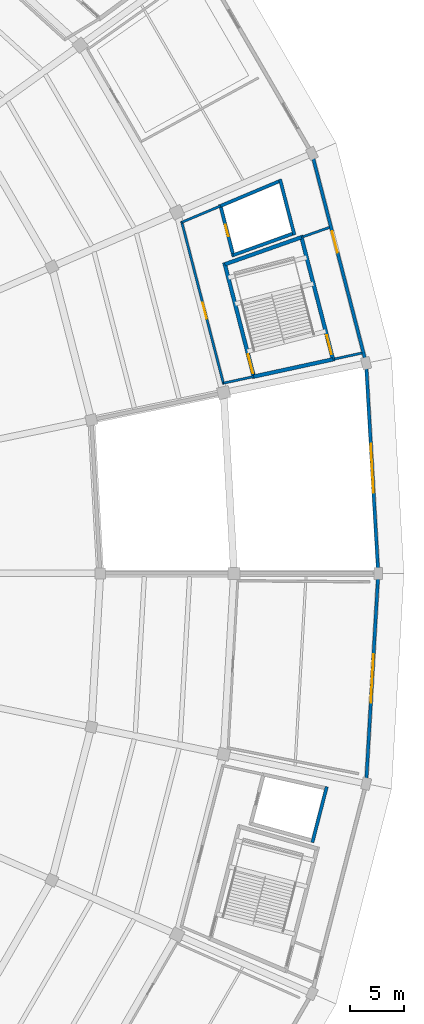
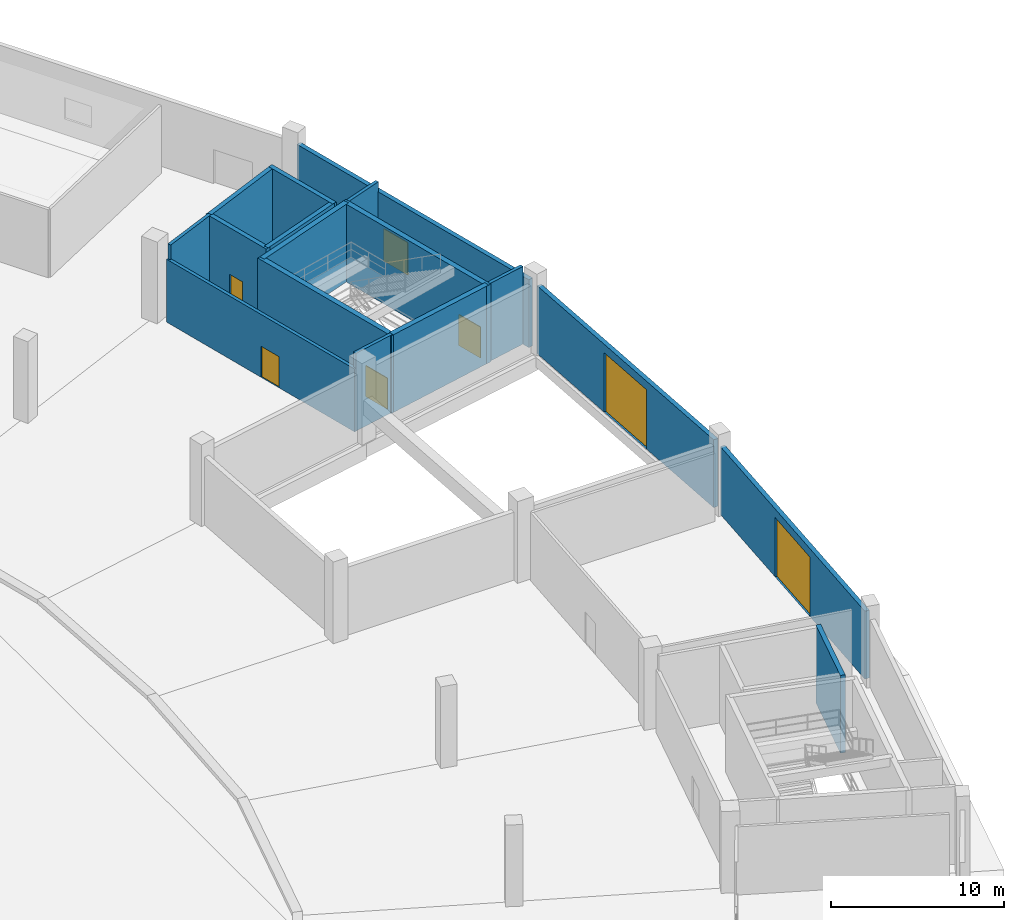
# One storey, part 15 of 48: 17 walls, 7 doors, 7 openings.
"""IFC4 building model written with IfcOpenShell, lengths in metres."""

from ifc_helpers import new_model, si_unit, direction, frame, frame_2d, origin, place, context, subcontext, project, spatial, rectangle, extrude, material, layer, layer_set, type_object, element, fill, save


model = new_model("IFC4")

# Units and contexts
model_context = context("Model", 3, precision=1e-05, world=origin(), true_north=direction((0.0, 1.0)))
body_context = subcontext(model_context, "Body", "Model", "MODEL_VIEW")
ifc_project = project(units=[si_unit("LENGTHUNIT", "METRE"), si_unit("AREAUNIT", "SQUARE_METRE"), si_unit("VOLUMEUNIT", "CUBIC_METRE"), si_unit("PLANEANGLEUNIT", "RADIAN"), si_unit("MASSUNIT", "GRAM", prefix="KILO")], contexts=[model_context])

# Site, building, storey
site_placement = place(None, origin())
site = spatial("IfcSite", under=ifc_project, at=site_placement, CompositionType="ELEMENT")
building_placement = place(site_placement, origin())
building = spatial("IfcBuilding", under=site, at=building_placement, Name="Kazemori Nagisa Stadium", CompositionType="ELEMENT")
storey_placement = place(building_placement, origin())
storey = spatial("IfcBuildingStorey", under=building, at=storey_placement, Name="L00", CompositionType="ELEMENT", Elevation=0.0)

# Wall, opening, door
ifc_material_1 = material(Name="Concrete C40/50 (Fc42)", Category="concrete")
ifc_layer_1 = layer(ifc_material_1, 0.35009765625, Name="Concrete C40/50 (Fc42)", Category="concrete")
ifc_layer_set_1 = layer_set([ifc_layer_1], Name="Concrete C40/50 (Fc42)")
wall_type_1 = type_object("IfcWallType", Name="Wall_W-CORE-350", PredefinedType="SHEAR", material=ifc_layer_set_1)
wall_1_placement = place(storey_placement, frame((206.5625, 119.996337890625, 0.0), z_axis=(0.0, 0.0, 1.0), x_axis=(-0.249959564539, 0.968256276042, 0.0)))
wall_1 = element("IfcWall", 1, at=wall_1_placement, inside=storey, type_object=wall_type_1, Name="Core stair front shear wall ST07 L00", PredefinedType="SHEAR", context=body_context, shape_type="SweptSolid", body=[
    extrude(rectangle(XDim=11.046630859375, YDim=0.35009765625, at=frame_2d((5.5234375, 0.0))), origin(), (0.0, 0.0, 1.0), 5.5),
])
opening_1_placement = place(wall_1_placement, frame((0.47509765625, 0.0, 0.0)))
opening_1 = element("IfcOpeningElement", 2, at=opening_1_placement, cuts=wall_1, Name="Opening D-ST-1800", PredefinedType="OPENING", context=body_context, shape_type="SweptSolid", body=[
    extrude(rectangle(XDim=1.800048828125, YDim=2.199951171875, at=frame_2d((0.89990234375, 1.10009765625))), frame((0.0, 0.18505859375, 0.0), z_axis=(0.0, -1.0, 0.0), x_axis=(1.0, 0.0, 0.0)), (0.0, 0.0, 1.0), 0.3701171875),
])
ifc_material_2 = material(Name="Galvanised steel sheet", Category="steel")
door_type_1 = type_object("IfcDoorType", Name="Door_D-ST-1800", OperationType="NOTDEFINED", PredefinedType="DOOR", material=ifc_material_2)
door_1_placement = place(opening_1_placement, origin())
door_1 = element("IfcDoor", 3, at=door_1_placement, inside=storey, type_object=door_type_1, Name="Exit stair fire door ST07-L00", OperationType="SINGLE_SWING_RIGHT", OverallHeight=2.199951171875, OverallWidth=1.800048828125, PredefinedType="DOOR", context=body_context, shape_type="SweptSolid", body=[
    extrude(rectangle(XDim=1.800048828125, YDim=2.199951171875, at=frame_2d((0.89990234375, 1.10009765625))), frame((0.0, 0.02490234375, 0.0), z_axis=(0.0, -1.0, 0.0), x_axis=(1.0, 0.0, 0.0)), (0.0, 0.0, 1.0), 0.050048828125),
])
fill(opening_1, door_1)

wall_2_placement = place(storey_placement, frame((213.86572265625, 121.5849609375, 0.0), z_axis=(0.0, 0.0, 1.0), x_axis=(-0.249969221583, 0.968253782983, 0.0)))
wall_2 = element("IfcWall", 4, at=wall_2_placement, inside=storey, type_object=wall_type_1, Name="Core stair rear shear wall ST07 L00", PredefinedType="SHEAR", context=body_context, shape_type="SweptSolid", body=[
    extrude(rectangle(XDim=11.98193359375, YDim=0.35009765625, at=frame_2d((5.990966796875, 0.0))), origin(), (0.0, 0.0, 1.0), 5.5),
])
opening_2_placement = place(wall_2_placement, frame((0.672119140625, 0.0, 0.0)))
opening_2 = element("IfcOpeningElement", 5, at=opening_2_placement, cuts=wall_2, Name="Opening D-ST-1800", PredefinedType="OPENING", context=body_context, shape_type="SweptSolid", body=[
    extrude(rectangle(XDim=1.800048828125, YDim=2.199951171875, at=frame_2d((0.89990234375, 1.10009765625))), frame((0.0, 0.18505859375, 0.0), z_axis=(0.0, -1.0, 0.0), x_axis=(1.0, 0.0, 0.0)), (0.0, 0.0, 1.0), 0.3701171875),
])
door_2_placement = place(opening_2_placement, frame((1.800048828125, 0.0, 0.0), z_axis=(0.0, 0.0, 1.0), x_axis=(-1.0, 0.0, 0.0)))
door_2 = element("IfcDoor", 6, at=door_2_placement, inside=storey, type_object=door_type_1, Name="Exit stair discharge door ST07-L00", OperationType="DOUBLE_DOOR_SINGLE_SWING", OverallHeight=2.199951171875, OverallWidth=1.800048828125, PredefinedType="DOOR", context=body_context, shape_type="SweptSolid", body=[
    extrude(rectangle(XDim=1.800048828125, YDim=2.199951171875, at=frame_2d((0.89990234375, 1.10009765625))), frame((0.0, 0.02490234375, 0.0), z_axis=(0.0, -1.0, 0.0), x_axis=(1.0, 0.0, 0.0)), (0.0, 0.0, 1.0), 0.050048828125),
])
fill(opening_2, door_2)

# Walls
wall_3_placement = place(storey_placement, frame((206.518798828125, 120.165771484375, 0.0), z_axis=(0.0, 0.0, 1.0), x_axis=(0.977149528138, 0.2125530514, 0.0)))
element("IfcWall", 7, at=wall_3_placement, inside=storey, type_object=wall_type_1, Name="Core stair left shear wall ST07 L00", PredefinedType="SHEAR", context=body_context, shape_type="SweptSolid", body=[
    extrude(rectangle(XDim=7.47412109375, YDim=0.35009765625, at=frame_2d((3.737060546875, 0.0))), origin(), (0.0, 0.0, 1.0), 5.5),
])
wall_4_placement = place(storey_placement, frame((203.844970703125, 130.52294921875, 0.0), z_axis=(0.0, 0.0, 1.0), x_axis=(0.943032412173, 0.332700871042, 0.0)))
element("IfcWall", 8, at=wall_4_placement, inside=storey, type_object=wall_type_1, Name="Core stair right shear wall ST07 L00", PredefinedType="SHEAR", context=body_context, shape_type="SweptSolid", body=[
    extrude(rectangle(XDim=7.49658203125, YDim=0.35009765625, at=frame_2d((3.748291015625, 0.0))), origin(), (0.0, 0.0, 1.0), 5.5),
])

# Wall, opening, door
ifc_material_3 = material(Name="Concrete C40/50 (Fc42) precast", Category="concrete")
ifc_layer_2 = layer(ifc_material_3, 0.300048828125, Name="Concrete C40/50 (Fc42) precast", Category="concrete")
ifc_layer_set_2 = layer_set([ifc_layer_2], Name="Concrete C40/50 (Fc42) precast")
wall_type_2 = type_object("IfcWallType", Name="Wall_W-EXT-300", PredefinedType="SOLIDWALL", material=ifc_layer_set_2)
wall_5_placement = place(storey_placement, frame((217.9775390625, 102.389404296875, 0.0), z_axis=(0.0, 0.0, 1.0), x_axis=(-0.057599295107, 0.99833978244, 0.0)))
wall_5 = element("IfcWall", 9, at=wall_5_placement, inside=storey, type_object=wall_type_2, Name="Ground exterior entrance wall L00-01", PredefinedType="SOLIDWALL", context=body_context, shape_type="SweptSolid", body=[
    extrude(rectangle(XDim=18.64990234375, YDim=0.300048828125, at=frame_2d((9.324951171875, 0.0))), origin(), (0.0, 0.0, 1.0), 4.800048828125),
])
opening_3_placement = place(wall_5_placement, frame((7.074951171875, 0.0, 0.0)))
opening_3 = element("IfcOpeningElement", 10, at=opening_3_placement, cuts=wall_5, Name="Opening D-VEH-4500", PredefinedType="OPENING", context=body_context, shape_type="SweptSolid", body=[
    extrude(rectangle(XDim=4.5, YDim=4.199951171875, at=frame_2d((2.25, 2.10009765625))), frame((0.0, 0.159912109375, 0.0), z_axis=(0.0, -1.0, 0.0), x_axis=(1.0, 0.0, 0.0)), (0.0, 0.0, 1.0), 0.320068359375),
])
door_type_2 = type_object("IfcDoorType", Name="Door_D-VEH-4500", OperationType="ROLLINGUP", PredefinedType="DOOR", material=ifc_material_2)
door_3_placement = place(opening_3_placement, frame((4.5, 0.0, 0.0), z_axis=(0.0, 0.0, 1.0), x_axis=(-1.0, 0.0, 0.0)))
door_3 = element("IfcDoor", 11, at=door_3_placement, inside=storey, type_object=door_type_2, Name="Vehicle ramp roller shutter VD2", OperationType="ROLLINGUP", OverallHeight=4.199951171875, OverallWidth=4.5, PredefinedType="DOOR", context=body_context, shape_type="SweptSolid", body=[
    extrude(rectangle(XDim=4.5, YDim=4.199951171875, at=frame_2d((2.25, 2.10009765625))), frame((0.0, 0.02490234375, 0.0), z_axis=(0.0, -1.0, 0.0), x_axis=(1.0, 0.0, 0.0)), (0.0, 0.0, 1.0), 0.050048828125),
])
fill(opening_3, door_3)

wall_6_placement = place(storey_placement, frame((216.783203125, 121.775390625, 0.0), z_axis=(0.0, 0.0, 1.0), x_axis=(-0.249961059007, 0.968255890238, 0.0)))
wall_6 = element("IfcWall", 12, at=wall_6_placement, inside=storey, type_object=wall_type_2, Name="Core exterior wall L00-02", PredefinedType="SOLIDWALL", context=body_context, shape_type="SweptSolid", body=[
    extrude(rectangle(XDim=19.2060546875, YDim=0.300048828125, at=frame_2d((9.60302734375, 0.0))), origin(), (0.0, 0.0, 1.0), 4.800048828125),
])
opening_4_placement = place(wall_6_placement, frame((10.159912109375, 0.0, 0.0)))
opening_4 = element("IfcOpeningElement", 13, at=opening_4_placement, cuts=wall_6, Name="Opening D-SD-2000", PredefinedType="OPENING", context=body_context, shape_type="SweptSolid", body=[
    extrude(rectangle(XDim=2.0, YDim=2.300048828125, at=frame_2d((1.0, 1.14990234375))), frame((0.0, 0.159912109375, 0.0), z_axis=(0.0, -1.0, 0.0), x_axis=(1.0, 0.0, 0.0)), (0.0, 0.0, 1.0), 0.320068359375),
])
door_type_3 = type_object("IfcDoorType", Name="Door_D-SD-2000", OperationType="NOTDEFINED", PredefinedType="DOOR", material=ifc_material_2)
door_4_placement = place(opening_4_placement, frame((2.0, 0.0, 0.0), z_axis=(0.0, 0.0, 1.0), x_axis=(-1.0, 0.0, 0.0)))
door_4 = element("IfcDoor", 14, at=door_4_placement, inside=storey, type_object=door_type_3, Name="Pedestrian stair exit SD7", OperationType="DOUBLE_DOOR_SINGLE_SWING", OverallHeight=2.300048828125, OverallWidth=2.0, PredefinedType="DOOR", context=body_context, shape_type="SweptSolid", body=[
    extrude(rectangle(XDim=2.0, YDim=2.300048828125, at=frame_2d((1.0, 1.14990234375))), frame((0.0, 0.02490234375, 0.0), z_axis=(0.0, -1.0, 0.0), x_axis=(1.0, 0.0, 0.0)), (0.0, 0.0, 1.0), 0.050048828125),
])
fill(opening_4, door_4)

wall_7_placement = place(storey_placement, frame((216.9033203125, 82.99169921875, 0.0), z_axis=(0.0, 0.0, 1.0), x_axis=(0.057599295107, 0.99833978244, 0.0)))
wall_7 = element("IfcWall", 15, at=wall_7_placement, inside=storey, type_object=wall_type_2, Name="Ground exterior entrance wall L00-28", PredefinedType="SOLIDWALL", context=body_context, shape_type="SweptSolid", body=[
    extrude(rectangle(XDim=18.64990234375, YDim=0.300048828125, at=frame_2d((9.324951171875, 0.0))), origin(), (0.0, 0.0, 1.0), 4.800048828125),
])
opening_5_placement = place(wall_7_placement, frame((7.074951171875, 0.0, 0.0)))
opening_5 = element("IfcOpeningElement", 16, at=opening_5_placement, cuts=wall_7, Name="Opening D-VEH-4500", PredefinedType="OPENING", context=body_context, shape_type="SweptSolid", body=[
    extrude(rectangle(XDim=4.5, YDim=4.199951171875, at=frame_2d((2.25, 2.10009765625))), frame((0.0, 0.159912109375, 0.0), z_axis=(0.0, -1.0, 0.0), x_axis=(1.0, 0.0, 0.0)), (0.0, 0.0, 1.0), 0.320068359375),
])
door_5_placement = place(opening_5_placement, frame((4.5, 0.0, 0.0), z_axis=(0.0, 0.0, 1.0), x_axis=(-1.0, 0.0, 0.0)))
door_5 = element("IfcDoor", 17, at=door_5_placement, inside=storey, type_object=door_type_2, Name="Loading dock vehicle shutter VD1", OperationType="ROLLINGUP", OverallHeight=4.199951171875, OverallWidth=4.5, PredefinedType="DOOR", context=body_context, shape_type="SweptSolid", body=[
    extrude(rectangle(XDim=4.5, YDim=4.199951171875, at=frame_2d((2.25, 2.10009765625))), frame((0.0, 0.02490234375, 0.0), z_axis=(0.0, -1.0, 0.0), x_axis=(1.0, 0.0, 0.0)), (0.0, 0.0, 1.0), 0.050048828125),
])
fill(opening_5, door_5)

# Walls
ifc_material_4 = material(Name="Concrete C36/45 (Fc36)", Category="concrete")
ifc_layer_3 = layer(ifc_material_4, 0.219970703125, Name="Concrete C36/45 (Fc36)", Category="concrete")
ifc_layer_set_3 = layer_set([ifc_layer_3], Name="Concrete C36/45 (Fc36)")
wall_type_3 = type_object("IfcWallType", Name="Wall_W-LOBBY-220", PredefinedType="SOLIDWALL", material=ifc_layer_set_3)
wall_8_placement = place(storey_placement, frame((213.973388671875, 121.787353515625, 0.0), z_axis=(0.0, 0.0, 1.0), x_axis=(0.977161897059, 0.212496180991, 0.0)))
element("IfcWall", 18, at=wall_8_placement, inside=storey, type_object=wall_type_3, Name="Exit passage left fire wall ST07 L00", PredefinedType="SOLIDWALL", context=body_context, shape_type="SweptSolid", body=[
    extrude(rectangle(XDim=2.589599609375, YDim=0.219970703125, at=frame_2d((1.294921875, 0.0))), origin(), (0.0, 0.0, 1.0), 5.5),
])
wall_9_placement = place(storey_placement, frame((211.060791015625, 133.068603515625, 0.0), z_axis=(0.0, 0.0, 1.0), x_axis=(0.943023288659, 0.332726730285, 0.0)))
element("IfcWall", 19, at=wall_9_placement, inside=storey, type_object=wall_type_3, Name="Exit passage right fire wall ST07 L00", PredefinedType="SOLIDWALL", context=body_context, shape_type="SweptSolid", body=[
    extrude(rectangle(XDim=2.59814453125, YDim=0.219970703125, at=frame_2d((1.299072265625, 0.0))), origin(), (0.0, 0.0, 1.0), 5.5),
])

# Wall, opening, door
wall_10_placement = place(storey_placement, frame((203.7373046875, 119.448486328125, 0.0), z_axis=(0.0, 0.0, 1.0), x_axis=(-0.249963472505, 0.968255267176, 0.0)))
wall_10 = element("IfcWall", 20, at=wall_10_placement, inside=storey, type_object=wall_type_3, Name="Core lobby fire wall ST07 L00", PredefinedType="SOLIDWALL", context=body_context, shape_type="SweptSolid", body=[
    extrude(rectangle(XDim=15.552978515625, YDim=0.219970703125, at=frame_2d((7.7763671875, 0.0))), origin(), (0.0, 0.0, 1.0), 4.447998046875),
])
opening_6_placement = place(wall_10_placement, frame((6.260009765625, 0.0, 0.0)))
opening_6 = element("IfcOpeningElement", 21, at=opening_6_placement, cuts=wall_10, Name="Opening D-FFL-1500", PredefinedType="OPENING", context=body_context, shape_type="SweptSolid", body=[
    extrude(rectangle(XDim=1.5, YDim=2.199951171875, at=frame_2d((0.75, 1.10009765625))), frame((0.0, 0.119873046875, 0.0), z_axis=(0.0, -1.0, 0.0), x_axis=(1.0, 0.0, 0.0)), (0.0, 0.0, 1.0), 0.239990234375),
])
door_type_4 = type_object("IfcDoorType", Name="Door_D-FFL-1500", OperationType="NOTDEFINED", PredefinedType="DOOR", material=ifc_material_2)
door_6_placement = place(opening_6_placement, origin())
door_6 = element("IfcDoor", 22, at=door_6_placement, inside=storey, type_object=door_type_4, Name="Protected lobby fire door ST07-L00", OperationType="DOUBLE_DOOR_SINGLE_SWING", OverallHeight=2.199951171875, OverallWidth=1.5, PredefinedType="DOOR", context=body_context, shape_type="SweptSolid", body=[
    extrude(rectangle(XDim=1.5, YDim=2.199951171875, at=frame_2d((0.75, 1.10009765625))), frame((0.0, 0.02490234375, 0.0), z_axis=(0.0, -1.0, 0.0), x_axis=(1.0, 0.0, 0.0)), (0.0, 0.0, 1.0), 0.050048828125),
])
fill(opening_6, door_6)

# Walls
wall_11_placement = place(storey_placement, frame((203.7099609375, 119.554931640625, 0.0), z_axis=(0.0, 0.0, 1.0), x_axis=(0.977160263607, 0.212503692268, 0.0)))
element("IfcWall", 23, at=wall_11_placement, inside=storey, type_object=wall_type_3, Name="Core lobby left wall ST07 L00", PredefinedType="SOLIDWALL", context=body_context, shape_type="SweptSolid", body=[
    extrude(rectangle(XDim=2.87451171875, YDim=0.219970703125, at=frame_2d((1.437255859375, 0.0))), origin(), (0.0, 0.0, 1.0), 5.5),
])
wall_12_placement = place(storey_placement, frame((199.877197265625, 134.401123046875, 0.0), z_axis=(0.0, 0.0, 1.0), x_axis=(0.921486922561, 0.388409386535, 0.0)))
element("IfcWall", 24, at=wall_12_placement, inside=storey, type_object=wall_type_3, Name="Core lobby right wall ST07 L00", PredefinedType="SOLIDWALL", context=body_context, shape_type="SweptSolid", body=[
    extrude(rectangle(XDim=3.871337890625, YDim=0.219970703125, at=frame_2d((1.935546875, 0.0))), origin(), (0.0, 0.0, 1.0), 5.5),
])

# Wall, opening, door
ifc_layer_4 = layer(ifc_material_1, 0.300048828125, Name="Concrete C40/50 (Fc42)", Category="concrete")
ifc_layer_set_4 = layer_set([ifc_layer_4], Name="Concrete C40/50 (Fc42)")
wall_type_4 = type_object("IfcWallType", Name="Wall_W-SHAFT-300", PredefinedType="SHEAR", material=ifc_layer_set_4)
wall_13_placement = place(storey_placement, frame((204.65380859375, 131.22119140625, 0.0), z_axis=(0.0, 0.0, 1.0), x_axis=(-0.250003862389, 0.968244839279, 0.0)))
wall_13 = element("IfcWall", 25, at=wall_13_placement, inside=storey, type_object=wall_type_4, Name="Lift shaft front wall LP5 L00", PredefinedType="SHEAR", context=body_context, shape_type="SweptSolid", body=[
    extrude(rectangle(XDim=4.9873046875, YDim=0.300048828125, at=frame_2d((2.49365234375, 0.0))), origin(), (0.0, 0.0, 1.0), 5.5),
])
opening_7_placement = place(wall_13_placement, frame((1.944091796875, 0.0, 0.0)))
opening_7 = element("IfcOpeningElement", 26, at=opening_7_placement, cuts=wall_13, Name="Opening LD-PAX", PredefinedType="OPENING", context=body_context, shape_type="SweptSolid", body=[
    extrude(rectangle(XDim=1.10009765625, YDim=2.199951171875, at=frame_2d((0.550048828125, 1.10009765625))), frame((0.0, 0.159912109375, 0.0), z_axis=(0.0, -1.0, 0.0), x_axis=(1.0, 0.0, 0.0)), (0.0, 0.0, 1.0), 0.320068359375),
])
ifc_material_5 = material(Name="Stainless steel SUS304", Category="steel")
door_type_5 = type_object("IfcDoorType", Name="Door_LD-PAX", OperationType="SLIDING_TO_RIGHT", PredefinedType="DOOR", material=ifc_material_5)
door_7_placement = place(opening_7_placement, origin())
door_7 = element("IfcDoor", 27, at=door_7_placement, inside=storey, type_object=door_type_5, Name="Lift landing door LP5-L00", OperationType="SLIDING_TO_RIGHT", OverallHeight=2.199951171875, OverallWidth=1.10009765625, PredefinedType="DOOR", context=body_context, shape_type="SweptSolid", body=[
    extrude(rectangle(XDim=1.10009765625, YDim=2.199951171875, at=frame_2d((0.550048828125, 1.10009765625))), frame((0.0, 0.02490234375, 0.0), z_axis=(0.0, -1.0, 0.0), x_axis=(1.0, 0.0, 0.0)), (0.0, 0.0, 1.0), 0.050048828125),
])
fill(opening_7, door_7)

# Walls
wall_14_placement = place(storey_placement, frame((210.263671875, 133.23974609375, 0.0), z_axis=(0.0, 0.0, 1.0), x_axis=(-0.249961459705, 0.968255786795, 0.0)))
element("IfcWall", 28, at=wall_14_placement, inside=storey, type_object=wall_type_4, Name="Lift shaft B wall LP5 L00", PredefinedType="SHEAR", context=body_context, shape_type="SweptSolid", body=[
    extrude(rectangle(XDim=5.309326171875, YDim=0.300048828125, at=frame_2d((2.65478515625, 0.0))), origin(), (0.0, 0.0, 1.0), 5.5),
])
wall_15_placement = place(storey_placement, frame((204.6162109375, 131.366455078125, 0.0), z_axis=(0.0, 0.0, 1.0), x_axis=(0.940945340179, 0.338558513103, 0.0)))
element("IfcWall", 29, at=wall_15_placement, inside=storey, type_object=wall_type_4, Name="Lift shaft L wall LP5 L00", PredefinedType="SHEAR", context=body_context, shape_type="SweptSolid", body=[
    extrude(rectangle(XDim=5.962158203125, YDim=0.300048828125, at=frame_2d((2.98095703125, 0.0))), origin(), (0.0, 0.0, 1.0), 5.5),
])
wall_16_placement = place(storey_placement, frame((203.444580078125, 135.90478515625, 0.0), z_axis=(0.0, 0.0, 1.0), x_axis=(0.92149593043, 0.388388015007, 0.0)))
element("IfcWall", 30, at=wall_16_placement, inside=storey, type_object=wall_type_4, Name="Lift shaft R wall LP5 L00", PredefinedType="SHEAR", context=body_context, shape_type="SweptSolid", body=[
    extrude(rectangle(XDim=6.000732421875, YDim=0.300048828125, at=frame_2d((3.00048828125, 0.0))), origin(), (0.0, 0.0, 1.0), 5.5),
])
wall_17_placement = place(storey_placement, frame((211.922607421875, 77.185791015625, 0.0), z_axis=(0.0, 0.0, 1.0), x_axis=(0.249918349381, 0.968266914979, 0.0)))
element("IfcWall", 31, at=wall_17_placement, inside=storey, type_object=wall_type_4, Name="Lift shaft B wall LP8 L00", PredefinedType="SHEAR", context=body_context, shape_type="SweptSolid", body=[
    extrude(rectangle(XDim=5.309326171875, YDim=0.300048828125, at=frame_2d((2.65478515625, 0.0))), origin(), (0.0, 0.0, 1.0), 5.5),
])

save(model, "model.ifc")
